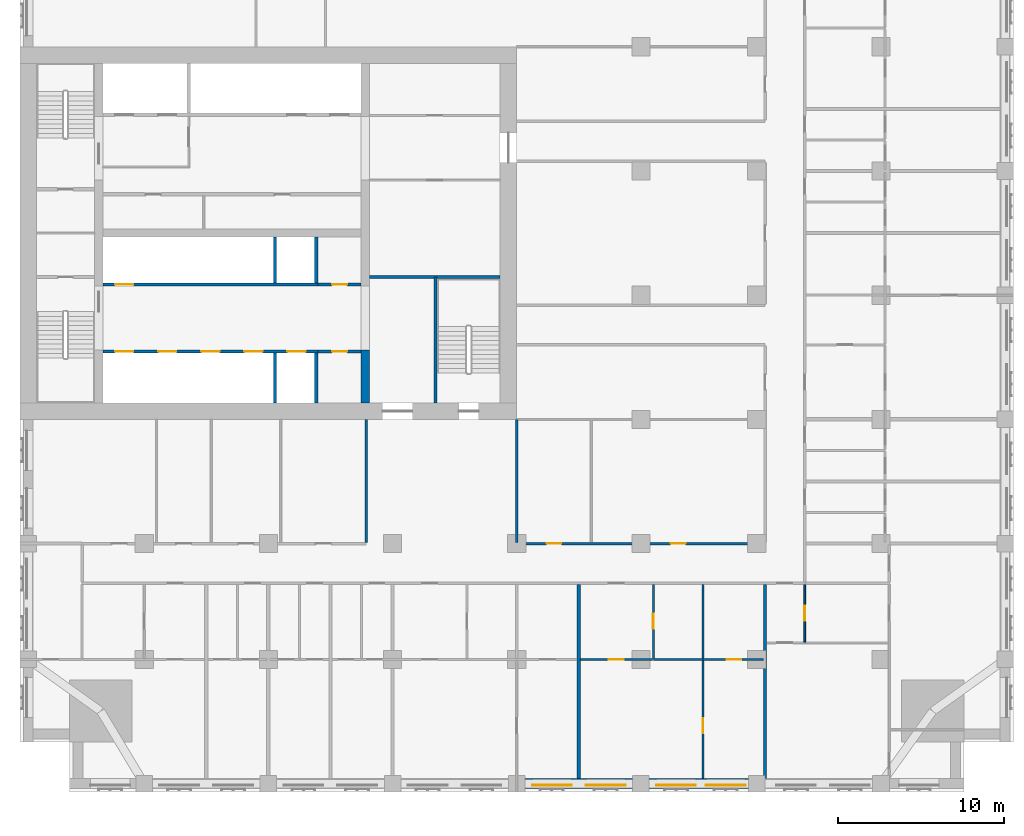
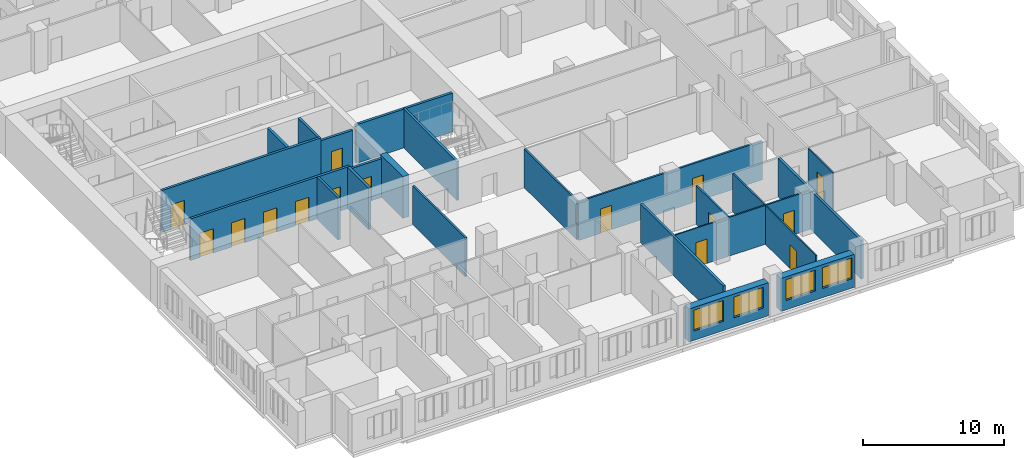
# One storey, part 6 of 15: 24 walls, 15 doors, 4 windows, 19 openings.
"""IFC4 building model written with IfcOpenShell, lengths in metres."""

from ifc_helpers import new_model, si_unit, direction, frame, frame_2d, origin, place, context, subcontext, project, spatial, rectangle, extrude, material, layer, layer_set, type_object, element, fill, save


model = new_model("IFC4")

# Units and contexts
model_context = context("Model", 3, precision=1e-05, world=origin(), true_north=direction((0.0, 1.0)))
body_context = subcontext(model_context, "Body", "Model", "MODEL_VIEW")
ifc_project = project(units=[si_unit("LENGTHUNIT", "METRE"), si_unit("AREAUNIT", "SQUARE_METRE"), si_unit("VOLUMEUNIT", "CUBIC_METRE"), si_unit("PLANEANGLEUNIT", "RADIAN"), si_unit("MASSUNIT", "GRAM", prefix="KILO")], contexts=[model_context])

# Site, building, storey
site_placement = place(None, origin())
site = spatial("IfcSite", under=ifc_project, at=site_placement, CompositionType="ELEMENT")
building_placement = place(site_placement, origin())
building = spatial("IfcBuilding", under=site, at=building_placement, Name="Tamorin Gate", CompositionType="ELEMENT")
storey_placement = place(building_placement, frame((0.0, 0.0, 111.5)))
storey = spatial("IfcBuildingStorey", under=building, at=storey_placement, Name="L27", CompositionType="ELEMENT", Elevation=111.5)

# Wall, openings, windows
ifc_material_1 = material(Name="Precast concrete C40/50", Category="concrete")
ifc_layer_1 = layer(ifc_material_1, 0.60009765625)
ifc_layer_set_1 = layer_set([ifc_layer_1], Name="Precast concrete C40/50")
wall_type_1 = type_object("IfcWallType", Name="Board-marked concrete facade panel 600", PredefinedType="SOLIDWALL", material=ifc_layer_set_1)
wall_1_placement = place(storey_placement, frame((60.5, 38.0, 0.0), z_axis=(0.0, 0.0, 1.0), x_axis=(1.0, 0.0, 0.0)))
wall_1 = element("IfcWall", 1, at=wall_1_placement, inside=storey, type_object=wall_type_1, Name="Facade panel", PredefinedType="SOLIDWALL", context=body_context, shape_type="SweptSolid", body=[
    extrude(rectangle(XDim=6.5, YDim=0.60009765625, at=frame_2d((3.25, 0.0))), origin(), (0.0, 0.0, 1.0), 2.85009765625),
])
opening_1_placement = place(wall_1_placement, frame((0.425048828125, 0.0, 0.800048828125)))
opening_1 = element("IfcOpeningElement", 2, at=opening_1_placement, cuts=wall_1, Name="Opening WN1", PredefinedType="OPENING", context=body_context, shape_type="SweptSolid", body=[
    extrude(rectangle(XDim=2.39990234375, YDim=1.800048828125, at=frame_2d((1.199951171875, 0.89990234375))), frame((0.0, 0.31005859375, 0.0), z_axis=(0.0, -1.0, 0.0), x_axis=(1.0, 0.0, 0.0)), (0.0, 0.0, 1.0), 0.6201171875),
])
opening_2_placement = place(wall_1_placement, frame((3.675048828125, 0.0, 0.800048828125)))
opening_2 = element("IfcOpeningElement", 3, at=opening_2_placement, cuts=wall_1, Name="Opening WN1", PredefinedType="OPENING", context=body_context, shape_type="SweptSolid", body=[
    extrude(rectangle(XDim=2.39990234375, YDim=1.800048828125, at=frame_2d((1.199951171875, 0.89990234375))), frame((0.0, 0.31005859375, 0.0), z_axis=(0.0, -1.0, 0.0), x_axis=(1.0, 0.0, 0.0)), (0.0, 0.0, 1.0), 0.6201171875),
])
ifc_material_2 = material(Name="Clear glass in aluminium frame", Category="aluminium")
window_type = type_object("IfcWindowType", Name="Deep-set window 2400x1800", PartitioningType="SINGLE_PANEL", PredefinedType="WINDOW", material=ifc_material_2)
window_1_placement = place(opening_1_placement, origin())
window_1 = element("IfcWindow", 4, at=window_1_placement, inside=storey, type_object=window_type, Name="Deep-set window", OverallHeight=1.800048828125, OverallWidth=2.39990234375, PartitioningType="SINGLE_PANEL", PredefinedType="WINDOW", context=body_context, shape_type="SweptSolid", body=[
    extrude(rectangle(XDim=2.39990234375, YDim=1.800048828125, at=frame_2d((1.199951171875, 0.89990234375))), frame((0.0, -0.070068359375, 0.0), z_axis=(0.0, -1.0, 0.0), x_axis=(1.0, 0.0, 0.0)), (0.0, 0.0, 1.0), 0.06005859375),
])
fill(opening_1, window_1)
window_2_placement = place(opening_2_placement, origin())
window_2 = element("IfcWindow", 5, at=window_2_placement, inside=storey, type_object=window_type, Name="Deep-set window", OverallHeight=1.800048828125, OverallWidth=2.39990234375, PartitioningType="SINGLE_PANEL", PredefinedType="WINDOW", context=body_context, shape_type="SweptSolid", body=[
    extrude(rectangle(XDim=2.39990234375, YDim=1.800048828125, at=frame_2d((1.199951171875, 0.89990234375))), frame((0.0, -0.070068359375, 0.0), z_axis=(0.0, -1.0, 0.0), x_axis=(1.0, 0.0, 0.0)), (0.0, 0.0, 1.0), 0.06005859375),
])
fill(opening_2, window_2)

wall_2_placement = place(storey_placement, frame((68.0, 38.0, 0.0), z_axis=(0.0, 0.0, 1.0), x_axis=(1.0, 0.0, 0.0)))
wall_2 = element("IfcWall", 6, at=wall_2_placement, inside=storey, type_object=wall_type_1, Name="Facade panel", PredefinedType="SOLIDWALL", context=body_context, shape_type="SweptSolid", body=[
    extrude(rectangle(XDim=6.0, YDim=0.60009765625, at=frame_2d((3.0, 0.0))), origin(), (0.0, 0.0, 1.0), 2.85009765625),
])
opening_3_placement = place(wall_2_placement, frame((0.425048828125, 0.0, 0.800048828125)))
opening_3 = element("IfcOpeningElement", 7, at=opening_3_placement, cuts=wall_2, Name="Opening WN1", PredefinedType="OPENING", context=body_context, shape_type="SweptSolid", body=[
    extrude(rectangle(XDim=2.39990234375, YDim=1.800048828125, at=frame_2d((1.199951171875, 0.89990234375))), frame((0.0, 0.31005859375, 0.0), z_axis=(0.0, -1.0, 0.0), x_axis=(1.0, 0.0, 0.0)), (0.0, 0.0, 1.0), 0.6201171875),
])
opening_4_placement = place(wall_2_placement, frame((3.425048828125, 0.0, 0.800048828125)))
opening_4 = element("IfcOpeningElement", 8, at=opening_4_placement, cuts=wall_2, Name="Opening WN1", PredefinedType="OPENING", context=body_context, shape_type="SweptSolid", body=[
    extrude(rectangle(XDim=2.39990234375, YDim=1.800048828125, at=frame_2d((1.199951171875, 0.89990234375))), frame((0.0, 0.31005859375, 0.0), z_axis=(0.0, -1.0, 0.0), x_axis=(1.0, 0.0, 0.0)), (0.0, 0.0, 1.0), 0.6201171875),
])
window_3_placement = place(opening_3_placement, origin())
window_3 = element("IfcWindow", 9, at=window_3_placement, inside=storey, type_object=window_type, Name="Deep-set window", OverallHeight=1.800048828125, OverallWidth=2.39990234375, PartitioningType="SINGLE_PANEL", PredefinedType="WINDOW", context=body_context, shape_type="SweptSolid", body=[
    extrude(rectangle(XDim=2.39990234375, YDim=1.800048828125, at=frame_2d((1.199951171875, 0.89990234375))), frame((0.0, -0.070068359375, 0.0), z_axis=(0.0, -1.0, 0.0), x_axis=(1.0, 0.0, 0.0)), (0.0, 0.0, 1.0), 0.06005859375),
])
fill(opening_3, window_3)
window_4_placement = place(opening_4_placement, origin())
window_4 = element("IfcWindow", 10, at=window_4_placement, inside=storey, type_object=window_type, Name="Deep-set window", OverallHeight=1.800048828125, OverallWidth=2.39990234375, PartitioningType="SINGLE_PANEL", PredefinedType="WINDOW", context=body_context, shape_type="SweptSolid", body=[
    extrude(rectangle(XDim=2.39990234375, YDim=1.800048828125, at=frame_2d((1.199951171875, 0.89990234375))), frame((0.0, -0.070068359375, 0.0), z_axis=(0.0, -1.0, 0.0), x_axis=(1.0, 0.0, 0.0)), (0.0, 0.0, 1.0), 0.06005859375),
])
fill(opening_4, window_4)

# Wall, openings, doors
ifc_material_3 = material(Name="Gypsum board partition")
ifc_layer_2 = layer(ifc_material_3, 0.14990234375)
ifc_layer_set_2 = layer_set([ifc_layer_2], Name="Corridor wall 150")
wall_type_2 = type_object("IfcWallType", Name="Corridor wall 150", PredefinedType="PARTITIONING", material=ifc_layer_set_2)
wall_3_placement = place(storey_placement, frame((60.0, 52.5, 0.0), z_axis=(0.0, 0.0, 1.0), x_axis=(1.0, 0.0, 0.0)))
wall_3 = element("IfcWall", 11, at=wall_3_placement, inside=storey, type_object=wall_type_2, Name="Corridor wall 150", PredefinedType="PARTITIONING", context=body_context, shape_type="SweptSolid", body=[
    extrude(rectangle(XDim=15.0, YDim=0.14990234375, at=frame_2d((7.5, 0.0))), origin(), (0.0, 0.0, 1.0), 3.35009765625),
])
opening_5_placement = place(wall_3_placement, frame((1.800048828125, 0.0, 0.0)))
opening_5 = element("IfcOpeningElement", 12, at=opening_5_placement, cuts=wall_3, Name="Opening DH6090", PredefinedType="OPENING", context=body_context, shape_type="SweptSolid", body=[
    extrude(rectangle(XDim=0.89990234375, YDim=2.10009765625, at=frame_2d((0.449951171875, 1.050048828125))), frame((0.0, 0.0849609375, 0.0), z_axis=(0.0, -1.0, 0.0), x_axis=(1.0, 0.0, 0.0)), (0.0, 0.0, 1.0), 0.169921875),
])
opening_6_placement = place(wall_3_placement, frame((9.300048828125, 0.0, 0.0)))
opening_6 = element("IfcOpeningElement", 13, at=opening_6_placement, cuts=wall_3, Name="Opening DH6091", PredefinedType="OPENING", context=body_context, shape_type="SweptSolid", body=[
    extrude(rectangle(XDim=0.89990234375, YDim=2.10009765625, at=frame_2d((0.449951171875, 1.050048828125))), frame((0.0, 0.0849609375, 0.0), z_axis=(0.0, -1.0, 0.0), x_axis=(1.0, 0.0, 0.0)), (0.0, 0.0, 1.0), 0.169921875),
])
ifc_material_4 = material(Name="Timber door leaf", Category="wood")
door_type_1 = type_object("IfcDoorType", Name="Door 900 x 2100 FD30S", OperationType="NOTDEFINED", PredefinedType="DOOR", material=ifc_material_4)
door_1_placement = place(opening_5_placement, origin())
door_1 = element("IfcDoor", 14, at=door_1_placement, inside=storey, type_object=door_type_1, Name="Door DH6090", OperationType="SINGLE_SWING_LEFT", OverallHeight=2.10009765625, OverallWidth=0.89990234375, PredefinedType="DOOR", context=body_context, shape_type="SweptSolid", body=[
    extrude(rectangle(XDim=0.89990234375, YDim=2.10009765625, at=frame_2d((0.449951171875, 1.050048828125))), frame((0.0, 0.02490234375, 0.0), z_axis=(0.0, -1.0, 0.0), x_axis=(1.0, 0.0, 0.0)), (0.0, 0.0, 1.0), 0.050048828125),
])
fill(opening_5, door_1)
door_2_placement = place(opening_6_placement, origin())
door_2 = element("IfcDoor", 15, at=door_2_placement, inside=storey, type_object=door_type_1, Name="Door DH6091", OperationType="SINGLE_SWING_LEFT", OverallHeight=2.10009765625, OverallWidth=0.89990234375, PredefinedType="DOOR", context=body_context, shape_type="SweptSolid", body=[
    extrude(rectangle(XDim=0.89990234375, YDim=2.10009765625, at=frame_2d((0.449951171875, 1.050048828125))), frame((0.0, 0.02490234375, 0.0), z_axis=(0.0, -1.0, 0.0), x_axis=(1.0, 0.0, 0.0)), (0.0, 0.0, 1.0), 0.050048828125),
])
fill(opening_6, door_2)

# Walls
ifc_layer_3 = layer(ifc_material_3, 0.199951171875)
ifc_layer_set_3 = layer_set([ifc_layer_3], Name="Demising wall 200")
wall_type_3 = type_object("IfcWallType", Name="Demising wall 200", PredefinedType="PARTITIONING", material=ifc_layer_set_3)
for number, where, z_axis, x_axis, name in (
    (16, (63.75, 38.31005859375, 0.0), (0.0, 0.0, 1.0), (0.0, 1.0, 0.0), "Demising wall 200"),
    (17, (75.0, 38.31005859375, 0.0), (0.0, 0.0, 1.0), (0.0, 1.0, 0.0), "Demising wall 200"),
):
    element("IfcWall", number, at=place(storey_placement, frame(where, z_axis=z_axis, x_axis=x_axis)), inside=storey, type_object=wall_type_3, Name=name, PredefinedType="PARTITIONING", context=body_context, shape_type="SweptSolid", body=[
        extrude(rectangle(XDim=11.71484375, YDim=0.199951171875, at=frame_2d((5.857421875, 0.0))), origin(), (0.0, 0.0, 1.0), 3.35009765625),
    ])

# Wall, openings, doors
ifc_material_5 = material(Name="Concrete C32/40", Category="concrete")
ifc_layer_4 = layer(ifc_material_5, 0.199951171875)
ifc_layer_set_4 = layer_set([ifc_layer_4], Name="Lift lobby face wall 200 EI 120")
wall_type_4 = type_object("IfcWallType", Name="Lift lobby face wall 200 EI 120", PredefinedType="SOLIDWALL", material=ifc_layer_set_4)
wall_4_placement = place(storey_placement, frame((35.0, 64.10009765625, 0.0), z_axis=(0.0, 0.0, 1.0), x_axis=(1.0, 0.0, 0.0)))
wall_4 = element("IfcWall", 18, at=wall_4_placement, inside=storey, type_object=wall_type_4, Name="Lift lobby face wall", PredefinedType="SOLIDWALL", context=body_context, shape_type="SweptSolid", body=[
    extrude(rectangle(XDim=13.0, YDim=0.199951171875, at=frame_2d((6.5, 0.0))), origin(), (0.0, 0.0, 1.0), 3.60009765625),
])
opening_7_placement = place(wall_4_placement, frame((0.75, 0.0, 0.0)))
opening_7 = element("IfcOpeningElement", 19, at=opening_7_placement, cuts=wall_4, Name="Opening LD1", PredefinedType="OPENING", context=body_context, shape_type="SweptSolid", body=[
    extrude(rectangle(XDim=1.10009765625, YDim=2.10009765625, at=frame_2d((0.550048828125, 1.050048828125))), frame((0.0, 0.10986328125, 0.0), z_axis=(0.0, -1.0, 0.0), x_axis=(1.0, 0.0, 0.0)), (0.0, 0.0, 1.0), 0.219970703125),
])
opening_8_placement = place(wall_4_placement, frame((3.35009765625, 0.0, 0.0)))
opening_8 = element("IfcOpeningElement", 20, at=opening_8_placement, cuts=wall_4, Name="Opening LD2", PredefinedType="OPENING", context=body_context, shape_type="SweptSolid", body=[
    extrude(rectangle(XDim=1.10009765625, YDim=2.10009765625, at=frame_2d((0.550048828125, 1.050048828125))), frame((0.0, 0.10986328125, 0.0), z_axis=(0.0, -1.0, 0.0), x_axis=(1.0, 0.0, 0.0)), (0.0, 0.0, 1.0), 0.219970703125),
])
opening_9_placement = place(wall_4_placement, frame((5.949951171875, 0.0, 0.0)))
opening_9 = element("IfcOpeningElement", 21, at=opening_9_placement, cuts=wall_4, Name="Opening LD3", PredefinedType="OPENING", context=body_context, shape_type="SweptSolid", body=[
    extrude(rectangle(XDim=1.10009765625, YDim=2.10009765625, at=frame_2d((0.550048828125, 1.050048828125))), frame((0.0, 0.10986328125, 0.0), z_axis=(0.0, -1.0, 0.0), x_axis=(1.0, 0.0, 0.0)), (0.0, 0.0, 1.0), 0.219970703125),
])
opening_10_placement = place(wall_4_placement, frame((8.550048828125, 0.0, 0.0)))
opening_10 = element("IfcOpeningElement", 22, at=opening_10_placement, cuts=wall_4, Name="Opening LD4", PredefinedType="OPENING", context=body_context, shape_type="SweptSolid", body=[
    extrude(rectangle(XDim=1.10009765625, YDim=2.10009765625, at=frame_2d((0.550048828125, 1.050048828125))), frame((0.0, 0.10986328125, 0.0), z_axis=(0.0, -1.0, 0.0), x_axis=(1.0, 0.0, 0.0)), (0.0, 0.0, 1.0), 0.219970703125),
])
opening_11_placement = place(wall_4_placement, frame((11.14990234375, 0.0, 0.0)))
opening_11 = element("IfcOpeningElement", 23, at=opening_11_placement, cuts=wall_4, Name="Opening LD5", PredefinedType="OPENING", context=body_context, shape_type="SweptSolid", body=[
    extrude(rectangle(XDim=1.10009765625, YDim=2.10009765625, at=frame_2d((0.550048828125, 1.050048828125))), frame((0.0, 0.10986328125, 0.0), z_axis=(0.0, -1.0, 0.0), x_axis=(1.0, 0.0, 0.0)), (0.0, 0.0, 1.0), 0.219970703125),
])
ifc_material_6 = material(Name="Stainless steel sliding door", Category="steel")
door_type_2 = type_object("IfcDoorType", Name="Lift landing door 1100 x 2100 E 90", OperationType="DOUBLE_DOOR_SLIDING", PredefinedType="DOOR", material=ifc_material_6)
door_3_placement = place(opening_7_placement, origin())
door_3 = element("IfcDoor", 24, at=door_3_placement, inside=storey, type_object=door_type_2, Name="LR1 landing door", OperationType="DOUBLE_DOOR_SLIDING", OverallHeight=2.10009765625, OverallWidth=1.10009765625, PredefinedType="DOOR", context=body_context, shape_type="SweptSolid", body=[
    extrude(rectangle(XDim=1.10009765625, YDim=2.10009765625, at=frame_2d((0.550048828125, 1.050048828125))), frame((0.0, 0.02490234375, 0.0), z_axis=(0.0, -1.0, 0.0), x_axis=(1.0, 0.0, 0.0)), (0.0, 0.0, 1.0), 0.050048828125),
])
fill(opening_7, door_3)
door_4_placement = place(opening_8_placement, origin())
door_4 = element("IfcDoor", 25, at=door_4_placement, inside=storey, type_object=door_type_2, Name="LR2 landing door", OperationType="DOUBLE_DOOR_SLIDING", OverallHeight=2.10009765625, OverallWidth=1.10009765625, PredefinedType="DOOR", context=body_context, shape_type="SweptSolid", body=[
    extrude(rectangle(XDim=1.10009765625, YDim=2.10009765625, at=frame_2d((0.550048828125, 1.050048828125))), frame((0.0, 0.02490234375, 0.0), z_axis=(0.0, -1.0, 0.0), x_axis=(1.0, 0.0, 0.0)), (0.0, 0.0, 1.0), 0.050048828125),
])
fill(opening_8, door_4)
door_5_placement = place(opening_9_placement, origin())
door_5 = element("IfcDoor", 26, at=door_5_placement, inside=storey, type_object=door_type_2, Name="LR3 landing door", OperationType="DOUBLE_DOOR_SLIDING", OverallHeight=2.10009765625, OverallWidth=1.10009765625, PredefinedType="DOOR", context=body_context, shape_type="SweptSolid", body=[
    extrude(rectangle(XDim=1.10009765625, YDim=2.10009765625, at=frame_2d((0.550048828125, 1.050048828125))), frame((0.0, 0.02490234375, 0.0), z_axis=(0.0, -1.0, 0.0), x_axis=(1.0, 0.0, 0.0)), (0.0, 0.0, 1.0), 0.050048828125),
])
fill(opening_9, door_5)
door_6_placement = place(opening_10_placement, origin())
door_6 = element("IfcDoor", 27, at=door_6_placement, inside=storey, type_object=door_type_2, Name="LR4 landing door", OperationType="DOUBLE_DOOR_SLIDING", OverallHeight=2.10009765625, OverallWidth=1.10009765625, PredefinedType="DOOR", context=body_context, shape_type="SweptSolid", body=[
    extrude(rectangle(XDim=1.10009765625, YDim=2.10009765625, at=frame_2d((0.550048828125, 1.050048828125))), frame((0.0, 0.02490234375, 0.0), z_axis=(0.0, -1.0, 0.0), x_axis=(1.0, 0.0, 0.0)), (0.0, 0.0, 1.0), 0.050048828125),
])
fill(opening_10, door_6)
door_7_placement = place(opening_11_placement, origin())
door_7 = element("IfcDoor", 28, at=door_7_placement, inside=storey, type_object=door_type_2, Name="LR5 landing door", OperationType="DOUBLE_DOOR_SLIDING", OverallHeight=2.10009765625, OverallWidth=1.10009765625, PredefinedType="DOOR", context=body_context, shape_type="SweptSolid", body=[
    extrude(rectangle(XDim=1.10009765625, YDim=2.10009765625, at=frame_2d((0.550048828125, 1.050048828125))), frame((0.0, 0.02490234375, 0.0), z_axis=(0.0, -1.0, 0.0), x_axis=(1.0, 0.0, 0.0)), (0.0, 0.0, 1.0), 0.050048828125),
])
fill(opening_11, door_7)

# Wall, opening, door
wall_5_placement = place(storey_placement, frame((35.0, 68.14990234375, 0.0), z_axis=(0.0, 0.0, 1.0), x_axis=(1.0, 0.0, 0.0)))
wall_5 = element("IfcWall", 29, at=wall_5_placement, inside=storey, type_object=wall_type_4, Name="Lift lobby face wall", PredefinedType="SOLIDWALL", context=body_context, shape_type="SweptSolid", body=[
    extrude(rectangle(XDim=13.0, YDim=0.199951171875, at=frame_2d((6.5, 0.0))), origin(), (0.0, 0.0, 1.0), 3.60009765625),
])
opening_12_placement = place(wall_5_placement, frame((0.75, 0.0, 0.0)))
opening_12 = element("IfcOpeningElement", 30, at=opening_12_placement, cuts=wall_5, Name="Opening LD6", PredefinedType="OPENING", context=body_context, shape_type="SweptSolid", body=[
    extrude(rectangle(XDim=1.10009765625, YDim=2.10009765625, at=frame_2d((0.550048828125, 1.050048828125))), frame((0.0, 0.10986328125, 0.0), z_axis=(0.0, -1.0, 0.0), x_axis=(1.0, 0.0, 0.0)), (0.0, 0.0, 1.0), 0.219970703125),
])
door_8_placement = place(opening_12_placement, origin())
door_8 = element("IfcDoor", 31, at=door_8_placement, inside=storey, type_object=door_type_2, Name="LR6 landing door", OperationType="DOUBLE_DOOR_SLIDING", OverallHeight=2.10009765625, OverallWidth=1.10009765625, PredefinedType="DOOR", context=body_context, shape_type="SweptSolid", body=[
    extrude(rectangle(XDim=1.10009765625, YDim=2.10009765625, at=frame_2d((0.550048828125, 1.050048828125))), frame((0.0, 0.02490234375, 0.0), z_axis=(0.0, -1.0, 0.0), x_axis=(1.0, 0.0, 0.0)), (0.0, 0.0, 1.0), 0.050048828125),
])
fill(opening_12, door_8)

# Walls
ifc_layer_5 = layer(ifc_material_5, 0.199951171875)
ifc_layer_set_5 = layer_set([ifc_layer_5], Name="Lift shaft wall 200 EI 120")
wall_type_5 = type_object("IfcWallType", Name="Lift shaft wall 200 EI 120", PredefinedType="SOLIDWALL", material=ifc_layer_set_5)
for number, where, z_axis, x_axis, name in (
    (32, (45.39990234375, 61.0, 0.0), (0.0, 0.0, 1.0), (0.0, 1.0, 0.0), "Lift shaft wall"),
    (33, (47.89990234375, 61.0, 0.0), (0.0, 0.0, 1.0), (0.0, 1.0, 0.0), "Lift shaft wall"),
):
    element("IfcWall", number, at=place(storey_placement, frame(where, z_axis=z_axis, x_axis=x_axis)), inside=storey, type_object=wall_type_5, Name=name, PredefinedType="SOLIDWALL", context=body_context, shape_type="SweptSolid", body=[
        extrude(rectangle(XDim=3.0, YDim=0.199951171875, at=frame_2d((1.5, 0.0))), origin(), (0.0, 0.0, 1.0), 3.60009765625),
    ])
for number, where, z_axis, x_axis, name in (
    (34, (45.39990234375, 68.25, 0.0), (0.0, 0.0, 1.0), (0.0, 1.0, 0.0), "Lift shaft wall"),
    (35, (47.89990234375, 68.25, 0.0), (0.0, 0.0, 1.0), (0.0, 1.0, 0.0), "Lift shaft wall"),
):
    element("IfcWall", number, at=place(storey_placement, frame(where, z_axis=z_axis, x_axis=x_axis)), inside=storey, type_object=wall_type_5, Name=name, PredefinedType="SOLIDWALL", context=body_context, shape_type="SweptSolid", body=[
        extrude(rectangle(XDim=2.75, YDim=0.199951171875, at=frame_2d((1.375, 0.0))), origin(), (0.0, 0.0, 1.0), 3.60009765625),
    ])
ifc_layer_6 = layer(ifc_material_3, 0.14990234375)
ifc_layer_set_6 = layer_set([ifc_layer_6], Name="Lobby wall 150")
wall_type_6 = type_object("IfcWallType", Name="Lobby wall 150", PredefinedType="PARTITIONING", material=ifc_layer_set_6)
for number, where, z_axis, x_axis, name in (
    (36, (50.89990234375, 52.574951171875, 0.0), (0.0, 0.0, 1.0), (0.0, 1.0, 0.0), "Lobby wall 150"),
    (37, (60.0, 52.574951171875, 0.0), (0.0, 0.0, 1.0), (0.0, 1.0, 0.0), "Lobby wall 150"),
):
    element("IfcWall", number, at=place(storey_placement, frame(where, z_axis=z_axis, x_axis=x_axis)), inside=storey, type_object=wall_type_6, Name=name, PredefinedType="PARTITIONING", context=body_context, shape_type="SweptSolid", body=[
        extrude(rectangle(XDim=7.425048828125, YDim=0.14990234375, at=frame_2d((3.71240234375, 0.0))), origin(), (0.0, 0.0, 1.0), 3.35009765625),
    ])
ifc_material_7 = material(Name="Concrete C80/95", Category="concrete")
ifc_layer_7 = layer(ifc_material_7, 0.5)
ifc_layer_set_7 = layer_set([ifc_layer_7], Name="RC core internal wall 500 C80/95")
wall_type_7 = type_object("IfcWallType", Name="RC core internal wall 500 C80/95", PredefinedType="SHEAR", material=ifc_layer_set_7)
wall_6_placement = place(storey_placement, frame((50.85009765625, 61.0, 0.0), z_axis=(0.0, 0.0, 1.0), x_axis=(0.0, 1.0, 0.0)))
element("IfcWall", 38, at=wall_6_placement, inside=storey, type_object=wall_type_7, Name="Core cross wall L27", PredefinedType="SHEAR", context=body_context, shape_type="SweptSolid", body=[
    extrude(rectangle(XDim=3.199951171875, YDim=0.5, at=frame_2d((1.60009765625, 0.0))), origin(), (0.0, 0.0, 1.0), 3.60009765625),
])

# Wall, opening, door
ifc_layer_8 = layer(ifc_material_3, 0.10009765625)
ifc_layer_set_8 = layer_set([ifc_layer_8], Name="Room partition 100")
wall_type_8 = type_object("IfcWallType", Name="Room partition 100", PredefinedType="PARTITIONING", material=ifc_layer_set_8)
wall_7_placement = place(storey_placement, frame((63.85009765625, 45.5, 0.0), z_axis=(0.0, 0.0, 1.0), x_axis=(1.0, 0.0, 0.0)))
wall_7 = element("IfcWall", 39, at=wall_7_placement, inside=storey, type_object=wall_type_8, Name="Room partition 100", PredefinedType="PARTITIONING", context=body_context, shape_type="SweptSolid", body=[
    extrude(rectangle(XDim=4.33740234375, YDim=0.10009765625, at=frame_2d((2.168701171875, 0.0))), origin(), (0.0, 0.0, 1.0), 3.35009765625),
])
opening_13_placement = place(wall_7_placement, frame((1.699951171875, 0.0, 0.0)))
opening_13 = element("IfcOpeningElement", 40, at=opening_13_placement, cuts=wall_7, Name="Opening DH6020", PredefinedType="OPENING", context=body_context, shape_type="SweptSolid", body=[
    extrude(rectangle(XDim=0.89990234375, YDim=2.10009765625, at=frame_2d((0.449951171875, 1.050048828125))), frame((0.0, 0.06005859375, 0.0), z_axis=(0.0, -1.0, 0.0), x_axis=(1.0, 0.0, 0.0)), (0.0, 0.0, 1.0), 0.1201171875),
])
door_type_3 = type_object("IfcDoorType", Name="Door 900 x 2100", OperationType="NOTDEFINED", PredefinedType="DOOR", material=ifc_material_4)
door_9_placement = place(opening_13_placement, origin())
door_9 = element("IfcDoor", 41, at=door_9_placement, inside=storey, type_object=door_type_3, Name="Door DH6020", OperationType="SINGLE_SWING_LEFT", OverallHeight=2.10009765625, OverallWidth=0.89990234375, PredefinedType="DOOR", context=body_context, shape_type="SweptSolid", body=[
    extrude(rectangle(XDim=0.89990234375, YDim=2.10009765625, at=frame_2d((0.449951171875, 1.050048828125))), frame((0.0, 0.02490234375, 0.0), z_axis=(0.0, -1.0, 0.0), x_axis=(1.0, 0.0, 0.0)), (0.0, 0.0, 1.0), 0.050048828125),
])
fill(opening_13, door_9)

wall_8_placement = place(storey_placement, frame((71.25, 38.31005859375, 0.0), z_axis=(0.0, 0.0, 1.0), x_axis=(0.0, 1.0, 0.0)))
wall_8 = element("IfcWall", 42, at=wall_8_placement, inside=storey, type_object=wall_type_8, Name="Room partition 100", PredefinedType="PARTITIONING", context=body_context, shape_type="SweptSolid", body=[
    extrude(rectangle(XDim=7.12744140625, YDim=0.10009765625, at=frame_2d((3.563720703125, 0.0))), origin(), (0.0, 0.0, 1.0), 3.35009765625),
])
opening_14_placement = place(wall_8_placement, frame((2.739990234375, 0.0, 0.0)))
opening_14 = element("IfcOpeningElement", 43, at=opening_14_placement, cuts=wall_8, Name="Opening DH6023", PredefinedType="OPENING", context=body_context, shape_type="SweptSolid", body=[
    extrude(rectangle(XDim=0.89990234375, YDim=2.10009765625, at=frame_2d((0.449951171875, 1.050048828125))), frame((0.0, 0.06005859375, 0.0), z_axis=(0.0, -1.0, 0.0), x_axis=(1.0, 0.0, 0.0)), (0.0, 0.0, 1.0), 0.1201171875),
])
door_10_placement = place(opening_14_placement, origin())
door_10 = element("IfcDoor", 44, at=door_10_placement, inside=storey, type_object=door_type_3, Name="Door DH6023", OperationType="SINGLE_SWING_LEFT", OverallHeight=2.10009765625, OverallWidth=0.89990234375, PredefinedType="DOOR", context=body_context, shape_type="SweptSolid", body=[
    extrude(rectangle(XDim=0.89990234375, YDim=2.10009765625, at=frame_2d((0.449951171875, 1.050048828125))), frame((0.0, 0.02490234375, 0.0), z_axis=(0.0, -1.0, 0.0), x_axis=(1.0, 0.0, 0.0)), (0.0, 0.0, 1.0), 0.050048828125),
])
fill(opening_14, door_10)

wall_9_placement = place(storey_placement, frame((77.39990234375, 46.550048828125, 0.0), z_axis=(0.0, 0.0, 1.0), x_axis=(0.0, 1.0, 0.0)))
wall_9 = element("IfcWall", 45, at=wall_9_placement, inside=storey, type_object=wall_type_8, Name="Room partition 100", PredefinedType="PARTITIONING", context=body_context, shape_type="SweptSolid", body=[
    extrude(rectangle(XDim=3.474853515625, YDim=0.10009765625, at=frame_2d((1.7373046875, 0.0))), origin(), (0.0, 0.0, 1.0), 3.35009765625),
])
opening_15_placement = place(wall_9_placement, frame((1.300048828125, 0.0, 0.0)))
opening_15 = element("IfcOpeningElement", 46, at=opening_15_placement, cuts=wall_9, Name="Opening DH6076", PredefinedType="OPENING", context=body_context, shape_type="SweptSolid", body=[
    extrude(rectangle(XDim=0.89990234375, YDim=2.10009765625, at=frame_2d((0.449951171875, 1.050048828125))), frame((0.0, 0.06005859375, 0.0), z_axis=(0.0, -1.0, 0.0), x_axis=(1.0, 0.0, 0.0)), (0.0, 0.0, 1.0), 0.1201171875),
])
door_11_placement = place(opening_15_placement, origin())
door_11 = element("IfcDoor", 47, at=door_11_placement, inside=storey, type_object=door_type_3, Name="Door DH6076", OperationType="SINGLE_SWING_RIGHT", OverallHeight=2.10009765625, OverallWidth=0.89990234375, PredefinedType="DOOR", context=body_context, shape_type="SweptSolid", body=[
    extrude(rectangle(XDim=0.89990234375, YDim=2.10009765625, at=frame_2d((0.449951171875, 1.050048828125))), frame((0.0, 0.02490234375, 0.0), z_axis=(0.0, -1.0, 0.0), x_axis=(1.0, 0.0, 0.0)), (0.0, 0.0, 1.0), 0.050048828125),
])
fill(opening_15, door_11)

ifc_layer_9 = layer(ifc_material_3, 0.199951171875)
ifc_layer_set_9 = layer_set([ifc_layer_9], Name="Service room face wall 200 EI 60")
wall_type_9 = type_object("IfcWallType", Name="Service room face wall 200 EI 60", PredefinedType="PARTITIONING", material=ifc_layer_set_9)
wall_10_placement = place(storey_placement, frame((48.0, 64.10009765625, 0.0), z_axis=(0.0, 0.0, 1.0), x_axis=(1.0, 0.0, 0.0)))
wall_10 = element("IfcWall", 48, at=wall_10_placement, inside=storey, type_object=wall_type_9, Name="Service room face wall", PredefinedType="PARTITIONING", context=body_context, shape_type="SweptSolid", body=[
    extrude(rectangle(XDim=2.60009765625, YDim=0.199951171875, at=frame_2d((1.300048828125, 0.0))), origin(), (0.0, 0.0, 1.0), 3.35009765625),
])
opening_16_placement = place(wall_10_placement, frame((0.85009765625, 0.0, 0.0)))
opening_16 = element("IfcOpeningElement", 49, at=opening_16_placement, cuts=wall_10, Name="Opening DK1", PredefinedType="OPENING", context=body_context, shape_type="SweptSolid", body=[
    extrude(rectangle(XDim=0.89990234375, YDim=2.10009765625, at=frame_2d((0.449951171875, 1.050048828125))), frame((0.0, 0.10986328125, 0.0), z_axis=(0.0, -1.0, 0.0), x_axis=(1.0, 0.0, 0.0)), (0.0, 0.0, 1.0), 0.219970703125),
])
ifc_material_8 = material(Name="Timber fire door", Category="wood")
door_type_4 = type_object("IfcDoorType", Name="Service room door 900 x 2100 EI 60", OperationType="SINGLE_SWING_LEFT", PredefinedType="DOOR", material=ifc_material_8)
door_12_placement = place(opening_16_placement, origin())
door_12 = element("IfcDoor", 50, at=door_12_placement, inside=storey, type_object=door_type_4, Name="Door Linen store", OperationType="SINGLE_SWING_LEFT", OverallHeight=2.10009765625, OverallWidth=0.89990234375, PredefinedType="DOOR", context=body_context, shape_type="SweptSolid", body=[
    extrude(rectangle(XDim=0.89990234375, YDim=2.10009765625, at=frame_2d((0.449951171875, 1.050048828125))), frame((0.0, 0.02490234375, 0.0), z_axis=(0.0, -1.0, 0.0), x_axis=(1.0, 0.0, 0.0)), (0.0, 0.0, 1.0), 0.050048828125),
])
fill(opening_16, door_12)

wall_11_placement = place(storey_placement, frame((48.0, 68.14990234375, 0.0), z_axis=(0.0, 0.0, 1.0), x_axis=(1.0, 0.0, 0.0)))
wall_11 = element("IfcWall", 51, at=wall_11_placement, inside=storey, type_object=wall_type_9, Name="Service room face wall", PredefinedType="PARTITIONING", context=body_context, shape_type="SweptSolid", body=[
    extrude(rectangle(XDim=2.60009765625, YDim=0.199951171875, at=frame_2d((1.300048828125, 0.0))), origin(), (0.0, 0.0, 1.0), 3.35009765625),
])
opening_17_placement = place(wall_11_placement, frame((0.85009765625, 0.0, 0.0)))
opening_17 = element("IfcOpeningElement", 52, at=opening_17_placement, cuts=wall_11, Name="Opening DK1", PredefinedType="OPENING", context=body_context, shape_type="SweptSolid", body=[
    extrude(rectangle(XDim=0.89990234375, YDim=2.10009765625, at=frame_2d((0.449951171875, 1.050048828125))), frame((0.0, 0.10986328125, 0.0), z_axis=(0.0, -1.0, 0.0), x_axis=(1.0, 0.0, 0.0)), (0.0, 0.0, 1.0), 0.219970703125),
])
door_13_placement = place(opening_17_placement, origin())
door_13 = element("IfcDoor", 53, at=door_13_placement, inside=storey, type_object=door_type_4, Name="Door Vending and ice room", OperationType="SINGLE_SWING_LEFT", OverallHeight=2.10009765625, OverallWidth=0.89990234375, PredefinedType="DOOR", context=body_context, shape_type="SweptSolid", body=[
    extrude(rectangle(XDim=0.89990234375, YDim=2.10009765625, at=frame_2d((0.449951171875, 1.050048828125))), frame((0.0, 0.02490234375, 0.0), z_axis=(0.0, -1.0, 0.0), x_axis=(1.0, 0.0, 0.0)), (0.0, 0.0, 1.0), 0.050048828125),
])
fill(opening_17, door_13)

# Walls
ifc_material_9 = material(Name="Concrete C40/50", Category="concrete")
ifc_layer_10 = layer(ifc_material_9, 0.199951171875)
ifc_layer_set_10 = layer_set([ifc_layer_10], Name="Stair enclosure wall 200 EI 120 C40/50")
wall_type_10 = type_object("IfcWallType", Name="Stair enclosure wall 200 EI 120 C40/50", PredefinedType="SOLIDWALL", material=ifc_layer_set_10)
wall_12_placement = place(storey_placement, frame((55.10009765625, 61.0, 0.0), z_axis=(0.0, 0.0, 1.0), x_axis=(0.0, 1.0, 0.0)))
element("IfcWall", 54, at=wall_12_placement, inside=storey, type_object=wall_type_10, Name="Stair enclosure wall", PredefinedType="SOLIDWALL", context=body_context, shape_type="SweptSolid", body=[
    extrude(rectangle(XDim=7.60009765625, YDim=0.199951171875, at=frame_2d((3.800048828125, 0.0))), origin(), (0.0, 0.0, 1.0), 3.35009765625),
])
wall_13_placement = place(storey_placement, frame((51.10009765625, 68.60009765625, 0.0), z_axis=(0.0, 0.0, 1.0), x_axis=(1.0, 0.0, 0.0)))
element("IfcWall", 55, at=wall_13_placement, inside=storey, type_object=wall_type_10, Name="Stair enclosure wall", PredefinedType="SOLIDWALL", context=body_context, shape_type="SweptSolid", body=[
    extrude(rectangle(XDim=7.89990234375, YDim=0.199951171875, at=frame_2d((3.949951171875, 0.0))), origin(), (0.0, 0.0, 1.0), 3.35009765625),
])

# Wall, opening, door
ifc_layer_11 = layer(ifc_material_3, 0.125)
ifc_layer_set_11 = layer_set([ifc_layer_11], Name="Wet wall 125")
wall_type_11 = type_object("IfcWallType", Name="Wet wall 125", PredefinedType="PARTITIONING", material=ifc_layer_set_11)
wall_14_placement = place(storey_placement, frame((68.25, 45.5, 0.0), z_axis=(0.0, 0.0, 1.0), x_axis=(1.0, 0.0, 0.0)))
wall_14 = element("IfcWall", 56, at=wall_14_placement, inside=storey, type_object=wall_type_11, Name="Wet wall 125", PredefinedType="PARTITIONING", context=body_context, shape_type="SweptSolid", body=[
    extrude(rectangle(XDim=6.64990234375, YDim=0.125, at=frame_2d((3.324951171875, 0.0))), origin(), (0.0, 0.0, 1.0), 3.35009765625),
])
opening_18_placement = place(wall_14_placement, frame((4.425048828125, 0.0, 0.0)))
opening_18 = element("IfcOpeningElement", 57, at=opening_18_placement, cuts=wall_14, Name="Opening DH6022", PredefinedType="OPENING", context=body_context, shape_type="SweptSolid", body=[
    extrude(rectangle(XDim=0.89990234375, YDim=2.10009765625, at=frame_2d((0.449951171875, 1.050048828125))), frame((0.0, 0.072509765625, 0.0), z_axis=(0.0, -1.0, 0.0), x_axis=(1.0, 0.0, 0.0)), (0.0, 0.0, 1.0), 0.14501953125),
])
door_14_placement = place(opening_18_placement, origin())
door_14 = element("IfcDoor", 58, at=door_14_placement, inside=storey, type_object=door_type_3, Name="Door DH6022", OperationType="SINGLE_SWING_LEFT", OverallHeight=2.10009765625, OverallWidth=0.89990234375, PredefinedType="DOOR", context=body_context, shape_type="SweptSolid", body=[
    extrude(rectangle(XDim=0.89990234375, YDim=2.10009765625, at=frame_2d((0.449951171875, 1.050048828125))), frame((0.0, 0.02490234375, 0.0), z_axis=(0.0, -1.0, 0.0), x_axis=(1.0, 0.0, 0.0)), (0.0, 0.0, 1.0), 0.050048828125),
])
fill(opening_18, door_14)

wall_15_placement = place(storey_placement, frame((68.25, 45.5625, 0.0), z_axis=(0.0, 0.0, 1.0), x_axis=(0.0, 1.0, 0.0)))
wall_15 = element("IfcWall", 59, at=wall_15_placement, inside=storey, type_object=wall_type_11, Name="Wet wall 125", PredefinedType="PARTITIONING", context=body_context, shape_type="SweptSolid", body=[
    extrude(rectangle(XDim=4.46240234375, YDim=0.125, at=frame_2d((2.231201171875, 0.0))), origin(), (0.0, 0.0, 1.0), 3.35009765625),
])
opening_19_placement = place(wall_15_placement, frame((1.78759765625, 0.0, 0.0)))
opening_19 = element("IfcOpeningElement", 60, at=opening_19_placement, cuts=wall_15, Name="Opening DH6021", PredefinedType="OPENING", context=body_context, shape_type="SweptSolid", body=[
    extrude(rectangle(XDim=0.89990234375, YDim=2.10009765625, at=frame_2d((0.449951171875, 1.050048828125))), frame((0.0, 0.072509765625, 0.0), z_axis=(0.0, -1.0, 0.0), x_axis=(1.0, 0.0, 0.0)), (0.0, 0.0, 1.0), 0.14501953125),
])
door_15_placement = place(opening_19_placement, origin())
door_15 = element("IfcDoor", 61, at=door_15_placement, inside=storey, type_object=door_type_3, Name="Door DH6021", OperationType="SINGLE_SWING_LEFT", OverallHeight=2.10009765625, OverallWidth=0.89990234375, PredefinedType="DOOR", context=body_context, shape_type="SweptSolid", body=[
    extrude(rectangle(XDim=0.89990234375, YDim=2.10009765625, at=frame_2d((0.449951171875, 1.050048828125))), frame((0.0, 0.02490234375, 0.0), z_axis=(0.0, -1.0, 0.0), x_axis=(1.0, 0.0, 0.0)), (0.0, 0.0, 1.0), 0.050048828125),
])
fill(opening_19, door_15)

# Wall
wall_16_placement = place(storey_placement, frame((71.25, 45.5625, 0.0), z_axis=(0.0, 0.0, 1.0), x_axis=(0.0, 1.0, 0.0)))
element("IfcWall", 62, at=wall_16_placement, inside=storey, type_object=wall_type_11, Name="Wet wall 125", PredefinedType="PARTITIONING", context=body_context, shape_type="SweptSolid", body=[
    extrude(rectangle(XDim=4.46240234375, YDim=0.125, at=frame_2d((2.231201171875, 0.0))), origin(), (0.0, 0.0, 1.0), 3.35009765625),
])

save(model, "model.ifc")
